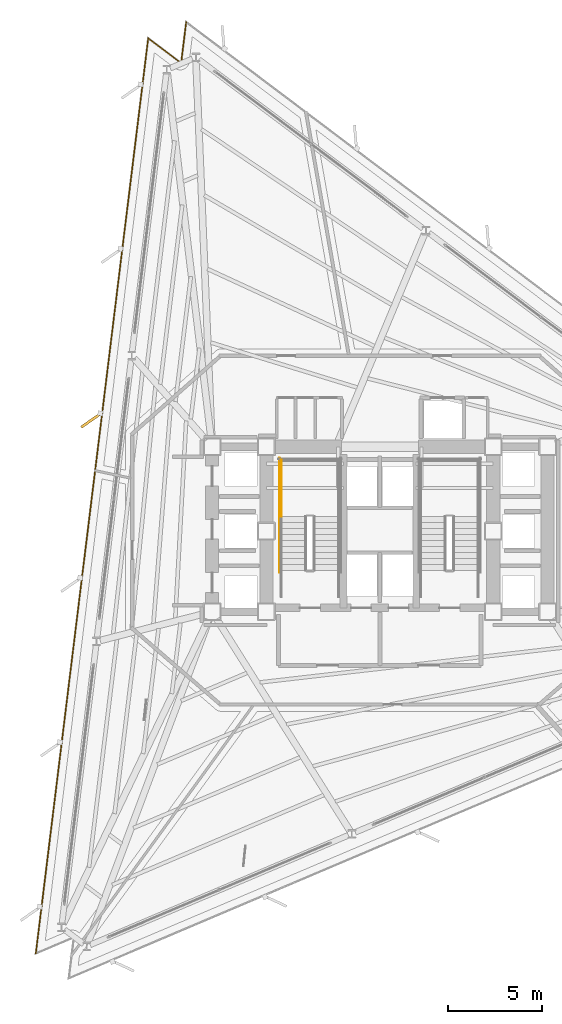
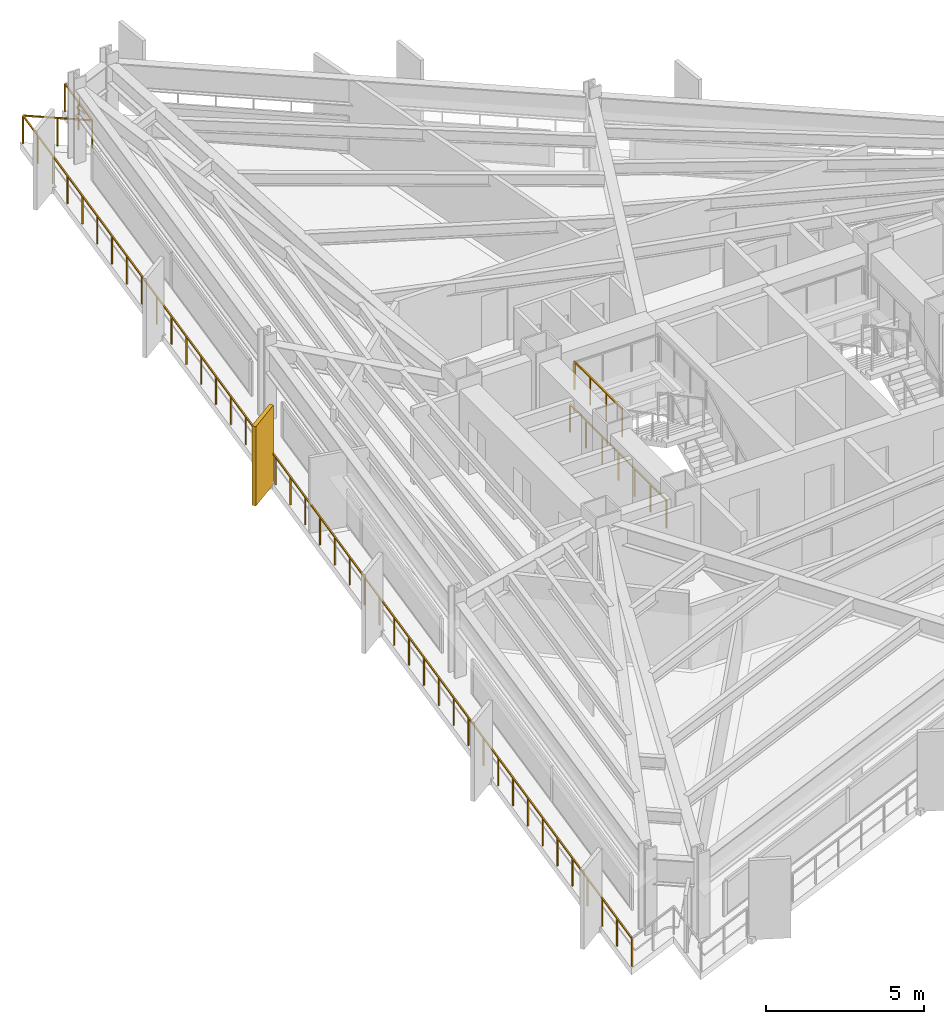
# One storey, part 11 of 13: 3 railings, 1 shading device.
"""IFC4 building model written with IfcOpenShell, lengths in metres."""

from ifc_helpers import new_model, si_unit, direction, frame, origin, origin_2d, place, context, subcontext, project, spatial, rectangle, extrude, material, layer, layer_set, type_object, element, save


model = new_model("IFC4")

# Units and contexts
model_context = context("Model", 3, precision=1e-05, world=origin(), true_north=direction((0.0, 1.0)))
body_context = subcontext(model_context, "Body", "Model", "MODEL_VIEW")
ifc_project = project(units=[si_unit("LENGTHUNIT", "METRE"), si_unit("AREAUNIT", "SQUARE_METRE"), si_unit("VOLUMEUNIT", "CUBIC_METRE"), si_unit("PLANEANGLEUNIT", "RADIAN"), si_unit("MASSUNIT", "GRAM", prefix="KILO")], contexts=[model_context])

# Site, building, storey
site_placement = place(None, origin())
site = spatial("IfcSite", under=ifc_project, at=site_placement, CompositionType="ELEMENT")
building_placement = place(site_placement, origin())
building = spatial("IfcBuilding", under=site, at=building_placement, Name="Rocaltana Carrier Exchange", CompositionType="ELEMENT")
storey_placement = place(building_placement, frame((0.0, 0.0, 73.1201171875)))
storey = spatial("IfcBuildingStorey", under=building, at=storey_placement, Name="L22", CompositionType="ELEMENT", Elevation=73.1201171875)

# Railings
ifc_material_1 = material(Name="Powder-Coated Aluminium 6063-T6", Category="aluminium")
ifc_layer_1 = layer(ifc_material_1, 0.048095703125)
ifc_layer_set_1 = layer_set([ifc_layer_1], Name="Powder-Coated Aluminium 6063-T6")
railing_type_1 = type_object("IfcRailingType", Name="Stair Well Guardrail 1100", PredefinedType="GUARDRAIL", material=ifc_layer_set_1)
railing_1_placement = place(storey_placement, frame((-5.25, 0.780029296875, 1.679931640625)))
element("IfcRailing", 1, at=railing_1_placement, inside=storey, type_object=railing_type_1, Name="L22 ST-1 stair guard 4", PredefinedType="GUARDRAIL", context=body_context, shape_type="SweptSolid", body=[
    extrude(rectangle(XDim=0.048095703125, YDim=0.048095703125, at=origin_2d()), frame((0.0, 0.0, 1.076171875), z_axis=(0.0, 1.0, 0.0), x_axis=(-1.0, 0.0, 0.0)), (0.0, 0.0, 1.0), 3.02001953125),
    extrude(rectangle(XDim=0.0419921875, YDim=0.0419921875, at=origin_2d()), origin(), (0.0, 0.0, 1.0), 1.052001953125),
    extrude(rectangle(XDim=0.0419921875, YDim=0.0419921875, at=origin_2d()), frame((0.0, 1.006591796875, 0.0)), (0.0, 0.0, 1.0), 1.052001953125),
    extrude(rectangle(XDim=0.0419921875, YDim=0.0419921875, at=origin_2d()), frame((0.0, 2.013427734375, 0.0)), (0.0, 0.0, 1.0), 1.052001953125),
    extrude(rectangle(XDim=0.0419921875, YDim=0.0419921875, at=origin_2d()), frame((0.0, 3.02001953125, 0.0)), (0.0, 0.0, 1.0), 1.052001953125),
])
railing_2_placement = place(storey_placement, frame((-5.35009765625, -2.199951171875, 0.0)))
element("IfcRailing", 2, at=railing_2_placement, inside=storey, type_object=railing_type_1, Name="L22 ST-1 stair guard 11", PredefinedType="GUARDRAIL", context=body_context, shape_type="SweptSolid", body=[
    extrude(rectangle(XDim=0.048095703125, YDim=0.048095703125, at=origin_2d()), frame((0.0, 0.0, 1.076171875), z_axis=(0.0, 1.0, 0.0), x_axis=(-1.0, 0.0, 0.0)), (0.0, 0.0, 1.0), 6.099853515625),
    extrude(rectangle(XDim=0.0419921875, YDim=0.0419921875, at=origin_2d()), origin(), (0.0, 0.0, 1.0), 1.052001953125),
    extrude(rectangle(XDim=0.0419921875, YDim=0.0419921875, at=origin_2d()), frame((0.0, 1.0166015625, 0.0)), (0.0, 0.0, 1.0), 1.052001953125),
    extrude(rectangle(XDim=0.0419921875, YDim=0.0419921875, at=origin_2d()), frame((0.0, 2.033203125, 0.0)), (0.0, 0.0, 1.0), 1.052001953125),
    extrude(rectangle(XDim=0.0419921875, YDim=0.0419921875, at=origin_2d()), frame((0.0, 3.0498046875, 0.0)), (0.0, 0.0, 1.0), 1.052001953125),
    extrude(rectangle(XDim=0.0419921875, YDim=0.0419921875, at=origin_2d()), frame((0.0, 4.066650390625, 0.0)), (0.0, 0.0, 1.0), 1.052001953125),
    extrude(rectangle(XDim=0.0419921875, YDim=0.0419921875, at=origin_2d()), frame((0.0, 5.083251953125, 0.0)), (0.0, 0.0, 1.0), 1.052001953125),
    extrude(rectangle(XDim=0.0419921875, YDim=0.0419921875, at=origin_2d()), frame((0.0, 6.099853515625, 0.0)), (0.0, 0.0, 1.0), 1.052001953125),
])

# Shading device
ifc_material_2 = material(Name="Honed Bogota Sandstone & Concrete C45/55", Category="masonry")
ifc_layer_2 = layer(ifc_material_2, 0.139892578125)
ifc_layer_set_2 = layer_set([ifc_layer_2], Name="Honed Bogota Sandstone & Concrete C45/55")
shading_device_type = type_object("IfcShadingDeviceType", Name="Vertical Sandstone Shading Fin 1320x140", PredefinedType="USERDEFINED", material=ifc_layer_set_2)
shading_device_placement = place(storey_placement, frame((-15.38427734375, 5.92431640625, -0.1201171875), z_axis=(0.0, 0.0, 1.0), x_axis=(-0.819152044289, -0.573576436351, 0.0)))
element("IfcShadingDevice", 3, at=shading_device_placement, inside=storey, type_object=shading_device_type, Name="L22 Sandstone Vertical Fin F2-03", ObjectType="FIN", PredefinedType="USERDEFINED", context=body_context, shape_type="SweptSolid", body=[
    extrude(rectangle(XDim=1.320068359375, YDim=0.139892578125, at=origin_2d()), origin(), (0.0, 0.0, 1.0), 3.05810546875),
])

# Railing
ifc_material_3 = material(Name="Powder-Coated Aluminium 6063-T6", Category="aluminium")
ifc_layer_3 = layer(ifc_material_3, 0.06005859375)
ifc_layer_set_3 = layer_set([ifc_layer_3], Name="Powder-Coated Aluminium 6063-T6")
railing_type_2 = type_object("IfcRailingType", Name="Wind-Floor & Terrace Perimeter Guardrail 1100", PredefinedType="GUARDRAIL", material=ifc_layer_set_3)
railing_3_placement = place(storey_placement, frame((-18.352783203125, -22.52734375, 0.0)))
element("IfcRailing", 4, at=railing_3_placement, inside=storey, type_object=railing_type_2, Name="L22 Perimeter Balcony Guardrail 2", PredefinedType="GUARDRAIL", context=body_context, shape_type="SweptSolid", body=[
    extrude(rectangle(XDim=0.048095703125, YDim=0.048095703125, at=origin_2d()), frame((0.0, 0.0, 1.076171875), z_axis=(0.12186659782, 0.992546488753, 0.0), x_axis=(-0.992546488753, 0.12186659782, 0.0)), (0.0, 0.0, 1.0), 49.192138671875),
    extrude(rectangle(XDim=0.048095703125, YDim=0.048095703125, at=origin_2d()), frame((5.994873046875, 48.825439453125, 1.076171875), z_axis=(0.798653030423, -0.601791772125, 0.0), x_axis=(0.601791772125, 0.798653030423, 0.0)), (0.0, 0.0, 1.0), 2.199951171875),
    extrude(rectangle(XDim=0.048095703125, YDim=0.048095703125, at=origin_2d()), frame((7.751953125, 47.50146484375, 1.076171875), z_axis=(0.121849105842, 0.992548636292, 0.0), x_axis=(-0.992548636292, 0.121849105842, 0.0)), (0.0, 0.0, 1.0), 2.199951171875),
    extrude(rectangle(XDim=0.0419921875, YDim=0.0419921875, at=origin_2d()), origin(), (0.0, 0.0, 1.0), 1.052001953125),
    extrude(rectangle(XDim=0.0419921875, YDim=0.0419921875, at=origin_2d()), frame((0.146240234375, 1.19091796875, 0.0)), (0.0, 0.0, 1.0), 1.052001953125),
    extrude(rectangle(XDim=0.0419921875, YDim=0.0419921875, at=origin_2d()), frame((0.29248046875, 2.3818359375, 0.0)), (0.0, 0.0, 1.0), 1.052001953125),
    extrude(rectangle(XDim=0.0419921875, YDim=0.0419921875, at=origin_2d()), frame((0.438720703125, 3.572509765625, 0.0)), (0.0, 0.0, 1.0), 1.052001953125),
    extrude(rectangle(XDim=0.0419921875, YDim=0.0419921875, at=origin_2d()), frame((0.5849609375, 4.763427734375, 0.0)), (0.0, 0.0, 1.0), 1.052001953125),
    extrude(rectangle(XDim=0.0419921875, YDim=0.0419921875, at=origin_2d()), frame((0.731201171875, 5.954345703125, 0.0)), (0.0, 0.0, 1.0), 1.052001953125),
    extrude(rectangle(XDim=0.0419921875, YDim=0.0419921875, at=origin_2d()), frame((0.877197265625, 7.145263671875, 0.0)), (0.0, 0.0, 1.0), 1.052001953125),
    extrude(rectangle(XDim=0.0419921875, YDim=0.0419921875, at=origin_2d()), frame((1.0234375, 8.3359375, 0.0)), (0.0, 0.0, 1.0), 1.052001953125),
    extrude(rectangle(XDim=0.0419921875, YDim=0.0419921875, at=origin_2d()), frame((1.169677734375, 9.52685546875, 0.0)), (0.0, 0.0, 1.0), 1.052001953125),
    extrude(rectangle(XDim=0.0419921875, YDim=0.0419921875, at=origin_2d()), frame((1.31591796875, 10.7177734375, 0.0)), (0.0, 0.0, 1.0), 1.052001953125),
    extrude(rectangle(XDim=0.0419921875, YDim=0.0419921875, at=origin_2d()), frame((1.462158203125, 11.90869140625, 0.0)), (0.0, 0.0, 1.0), 1.052001953125),
    extrude(rectangle(XDim=0.0419921875, YDim=0.0419921875, at=origin_2d()), frame((1.6083984375, 13.099609375, 0.0)), (0.0, 0.0, 1.0), 1.052001953125),
    extrude(rectangle(XDim=0.0419921875, YDim=0.0419921875, at=origin_2d()), frame((1.754638671875, 14.290283203125, 0.0)), (0.0, 0.0, 1.0), 1.052001953125),
    extrude(rectangle(XDim=0.0419921875, YDim=0.0419921875, at=origin_2d()), frame((1.90087890625, 15.481201171875, 0.0)), (0.0, 0.0, 1.0), 1.052001953125),
    extrude(rectangle(XDim=0.0419921875, YDim=0.0419921875, at=origin_2d()), frame((2.047119140625, 16.672119140625, 0.0)), (0.0, 0.0, 1.0), 1.052001953125),
    extrude(rectangle(XDim=0.0419921875, YDim=0.0419921875, at=origin_2d()), frame((2.193359375, 17.863037109375, 0.0)), (0.0, 0.0, 1.0), 1.052001953125),
    extrude(rectangle(XDim=0.0419921875, YDim=0.0419921875, at=origin_2d()), frame((2.33935546875, 19.0537109375, 0.0)), (0.0, 0.0, 1.0), 1.052001953125),
    extrude(rectangle(XDim=0.0419921875, YDim=0.0419921875, at=origin_2d()), frame((2.485595703125, 20.24462890625, 0.0)), (0.0, 0.0, 1.0), 1.052001953125),
    extrude(rectangle(XDim=0.0419921875, YDim=0.0419921875, at=origin_2d()), frame((2.6318359375, 21.435546875, 0.0)), (0.0, 0.0, 1.0), 1.052001953125),
    extrude(rectangle(XDim=0.0419921875, YDim=0.0419921875, at=origin_2d()), frame((2.778076171875, 22.62646484375, 0.0)), (0.0, 0.0, 1.0), 1.052001953125),
    extrude(rectangle(XDim=0.0419921875, YDim=0.0419921875, at=origin_2d()), frame((2.92431640625, 23.8173828125, 0.0)), (0.0, 0.0, 1.0), 1.052001953125),
    extrude(rectangle(XDim=0.0419921875, YDim=0.0419921875, at=origin_2d()), frame((3.070556640625, 25.008056640625, 0.0)), (0.0, 0.0, 1.0), 1.052001953125),
    extrude(rectangle(XDim=0.0419921875, YDim=0.0419921875, at=origin_2d()), frame((3.216796875, 26.198974609375, 0.0)), (0.0, 0.0, 1.0), 1.052001953125),
    extrude(rectangle(XDim=0.0419921875, YDim=0.0419921875, at=origin_2d()), frame((3.363037109375, 27.389892578125, 0.0)), (0.0, 0.0, 1.0), 1.052001953125),
    extrude(rectangle(XDim=0.0419921875, YDim=0.0419921875, at=origin_2d()), frame((3.50927734375, 28.580810546875, 0.0)), (0.0, 0.0, 1.0), 1.052001953125),
    extrude(rectangle(XDim=0.0419921875, YDim=0.0419921875, at=origin_2d()), frame((3.655517578125, 29.771728515625, 0.0)), (0.0, 0.0, 1.0), 1.052001953125),
    extrude(rectangle(XDim=0.0419921875, YDim=0.0419921875, at=origin_2d()), frame((3.801513671875, 30.96240234375, 0.0)), (0.0, 0.0, 1.0), 1.052001953125),
    extrude(rectangle(XDim=0.0419921875, YDim=0.0419921875, at=origin_2d()), frame((3.94775390625, 32.1533203125, 0.0)), (0.0, 0.0, 1.0), 1.052001953125),
    extrude(rectangle(XDim=0.0419921875, YDim=0.0419921875, at=origin_2d()), frame((4.093994140625, 33.34423828125, 0.0)), (0.0, 0.0, 1.0), 1.052001953125),
    extrude(rectangle(XDim=0.0419921875, YDim=0.0419921875, at=origin_2d()), frame((4.240234375, 34.53515625, 0.0)), (0.0, 0.0, 1.0), 1.052001953125),
    extrude(rectangle(XDim=0.0419921875, YDim=0.0419921875, at=origin_2d()), frame((4.386474609375, 35.725830078125, 0.0)), (0.0, 0.0, 1.0), 1.052001953125),
    extrude(rectangle(XDim=0.0419921875, YDim=0.0419921875, at=origin_2d()), frame((4.53271484375, 36.916748046875, 0.0)), (0.0, 0.0, 1.0), 1.052001953125),
    extrude(rectangle(XDim=0.0419921875, YDim=0.0419921875, at=origin_2d()), frame((4.678955078125, 38.107666015625, 0.0)), (0.0, 0.0, 1.0), 1.052001953125),
    extrude(rectangle(XDim=0.0419921875, YDim=0.0419921875, at=origin_2d()), frame((4.8251953125, 39.298583984375, 0.0)), (0.0, 0.0, 1.0), 1.052001953125),
    extrude(rectangle(XDim=0.0419921875, YDim=0.0419921875, at=origin_2d()), frame((4.971435546875, 40.489501953125, 0.0)), (0.0, 0.0, 1.0), 1.052001953125),
    extrude(rectangle(XDim=0.0419921875, YDim=0.0419921875, at=origin_2d()), frame((5.11767578125, 41.68017578125, 0.0)), (0.0, 0.0, 1.0), 1.052001953125),
    extrude(rectangle(XDim=0.0419921875, YDim=0.0419921875, at=origin_2d()), frame((5.263671875, 42.87109375, 0.0)), (0.0, 0.0, 1.0), 1.052001953125),
    extrude(rectangle(XDim=0.0419921875, YDim=0.0419921875, at=origin_2d()), frame((5.409912109375, 44.06201171875, 0.0)), (0.0, 0.0, 1.0), 1.052001953125),
    extrude(rectangle(XDim=0.0419921875, YDim=0.0419921875, at=origin_2d()), frame((5.55615234375, 45.2529296875, 0.0)), (0.0, 0.0, 1.0), 1.052001953125),
    extrude(rectangle(XDim=0.0419921875, YDim=0.0419921875, at=origin_2d()), frame((5.702392578125, 46.443603515625, 0.0)), (0.0, 0.0, 1.0), 1.052001953125),
    extrude(rectangle(XDim=0.0419921875, YDim=0.0419921875, at=origin_2d()), frame((5.8486328125, 47.634521484375, 0.0)), (0.0, 0.0, 1.0), 1.052001953125),
    extrude(rectangle(XDim=0.0419921875, YDim=0.0419921875, at=origin_2d()), frame((5.994873046875, 48.825439453125, 0.0)), (0.0, 0.0, 1.0), 1.052001953125),
    extrude(rectangle(XDim=0.0419921875, YDim=0.0419921875, at=origin_2d()), frame((6.87353515625, 48.16357421875, 0.0)), (0.0, 0.0, 1.0), 1.052001953125),
    extrude(rectangle(XDim=0.0419921875, YDim=0.0419921875, at=origin_2d()), frame((7.751953125, 47.50146484375, 0.0)), (0.0, 0.0, 1.0), 1.052001953125),
    extrude(rectangle(XDim=0.0419921875, YDim=0.0419921875, at=origin_2d()), frame((7.885986328125, 48.59326171875, 0.0)), (0.0, 0.0, 1.0), 1.052001953125),
    extrude(rectangle(XDim=0.0419921875, YDim=0.0419921875, at=origin_2d()), frame((8.02001953125, 49.68505859375, 0.0)), (0.0, 0.0, 1.0), 1.052001953125),
])

save(model, "model.ifc")
